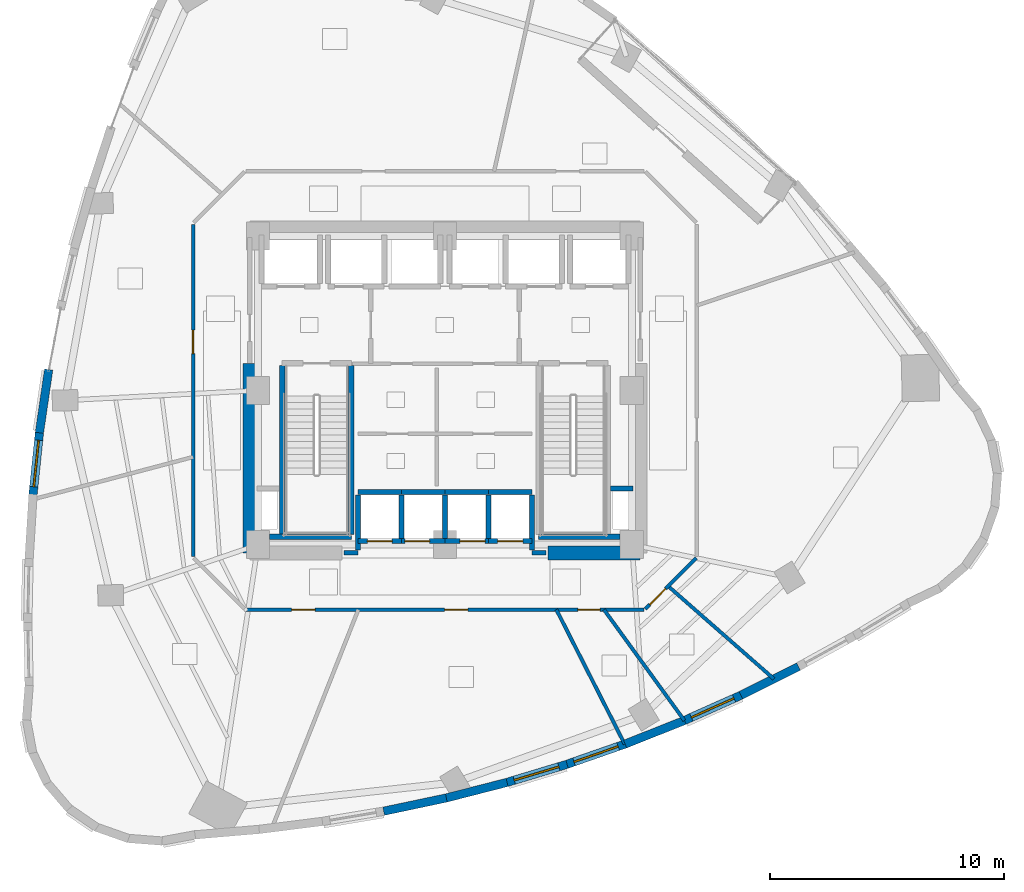
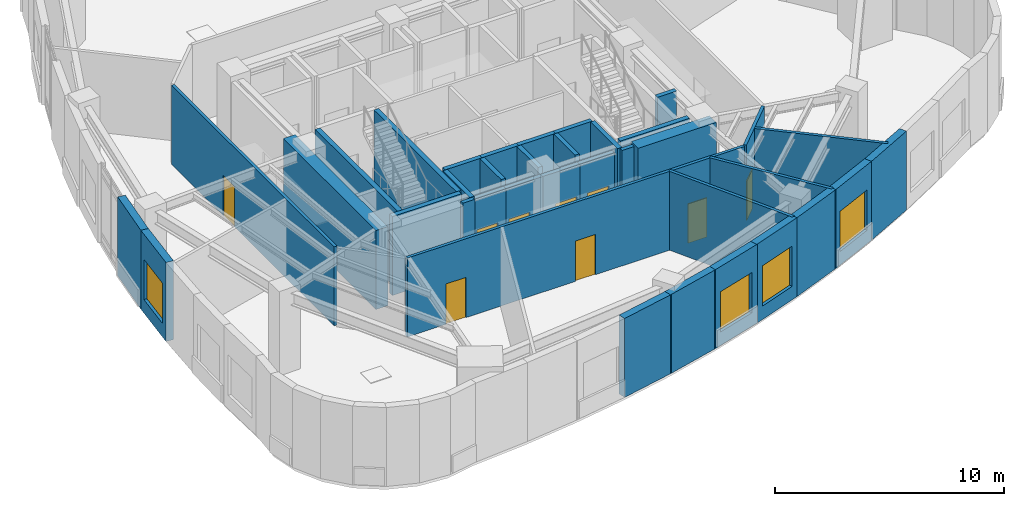
# One storey, part 13 of 19: 37 walls, 9 doors, 4 windows, 13 openings.
"""IFC4 building model written with IfcOpenShell, lengths in metres."""

from ifc_helpers import new_model, si_unit, direction, frame, frame_2d, origin, place, context, subcontext, project, spatial, rectangle, extrude, material, layer, layer_set, type_object, element, fill, save


model = new_model("IFC4")

# Units and contexts
model_context = context("Model", 3, precision=1e-05, world=origin(), true_north=direction((0.0, 1.0)))
body_context = subcontext(model_context, "Body", "Model", "MODEL_VIEW")
ifc_project = project(units=[si_unit("LENGTHUNIT", "METRE"), si_unit("AREAUNIT", "SQUARE_METRE"), si_unit("VOLUMEUNIT", "CUBIC_METRE"), si_unit("PLANEANGLEUNIT", "RADIAN"), si_unit("MASSUNIT", "GRAM", prefix="KILO")], contexts=[model_context])

# Site, building, storey
site_placement = place(None, origin())
site = spatial("IfcSite", under=ifc_project, at=site_placement, CompositionType="ELEMENT")
building_placement = place(site_placement, origin())
building = spatial("IfcBuilding", under=site, at=building_placement, Name="Ndelora Gate Hotel", CompositionType="ELEMENT")
storey_placement = place(building_placement, frame((0.0, 0.0, 88.25)))
storey = spatial("IfcBuildingStorey", under=building, at=storey_placement, Name="L21", CompositionType="ELEMENT", Elevation=88.25)

# Wall
ifc_material_1 = material(Name="Clay Brick Masonry", Category="masonry")
ifc_layer_1 = layer(ifc_material_1, 0.360107421875)
ifc_layer_set_1 = layer_set([ifc_layer_1], Name="Clay Brick Masonry")
wall_type_1 = type_object("IfcWallType", Name="WL-BRICK-360", PredefinedType="SOLIDWALL", material=ifc_layer_set_1)
wall_1_placement = place(storey_placement, frame((-17.357177734375, -1.813720703125, 0.0), z_axis=(0.0, 0.0, 1.0), x_axis=(0.145182948163, 0.989404826935, 0.0)))
element("IfcWall", 1, at=wall_1_placement, inside=storey, type_object=wall_type_1, Name="L21 Tower Brick Pier-and-Spandrel Wall TWR-16", PredefinedType="SOLIDWALL", context=body_context, shape_type="SweptSolid", body=[
    extrude(rectangle(XDim=2.734375, YDim=0.360107421875, at=frame_2d((1.3671875, 0.0))), origin(), (0.0, 0.0, 1.0), 4.2099609375),
])

# Wall, opening, window
wall_2_placement = place(storey_placement, frame((-17.634521484375, -4.493408203125, 0.0), z_axis=(0.0, 0.0, 1.0), x_axis=(0.103299843757, 0.994650261288, 0.0)))
wall_2 = element("IfcWall", 2, at=wall_2_placement, inside=storey, type_object=wall_type_1, Name="L21 Tower Brick Pier-and-Spandrel Wall TWR-17", PredefinedType="SOLIDWALL", context=body_context, shape_type="SweptSolid", body=[
    extrude(rectangle(XDim=2.743896484375, YDim=0.360107421875, at=frame_2d((1.3720703125, 0.0))), origin(), (0.0, 0.0, 1.0), 4.2099609375),
])
opening_1_placement = place(wall_2_placement, frame((0.3720703125, 0.0, 0.719970703125)))
opening_1 = element("IfcOpeningElement", 3, at=opening_1_placement, cuts=wall_2, Name="Opening W05", PredefinedType="OPENING", context=body_context, shape_type="SweptSolid", body=[
    extrude(rectangle(XDim=2.0, YDim=2.14990234375, at=frame_2d((1.0, 1.074951171875))), frame((0.0, 0.18994140625, 0.0), z_axis=(0.0, -1.0, 0.0), x_axis=(1.0, 0.0, 0.0)), (0.0, 0.0, 1.0), 0.380126953125),
])
ifc_material_2 = material(Name="Insulated Low-E Double Glazing in Bronze Aluminium Frame", Category="aluminium")
window_type = type_object("IfcWindowType", Name="WN-SKY-2000", PartitioningType="SINGLE_PANEL", PredefinedType="WINDOW", material=ifc_material_2)
window_1_placement = place(opening_1_placement, origin())
window_1 = element("IfcWindow", 4, at=window_1_placement, inside=storey, type_object=window_type, Name="L21 Deep-Set Brick-Pier Window W05", OverallHeight=2.14990234375, OverallWidth=2.0, PartitioningType="SINGLE_PANEL", PredefinedType="WINDOW", context=body_context, shape_type="SweptSolid", body=[
    extrude(rectangle(XDim=2.0, YDim=2.14990234375, at=frame_2d((1.0, 1.074951171875))), frame((0.0, 0.030029296875, 0.0), z_axis=(0.0, -1.0, 0.0), x_axis=(1.0, 0.0, 0.0)), (0.0, 0.0, 1.0), 0.06005859375),
])
fill(opening_1, window_1)

# Walls
wall_3_placement = place(storey_placement, frame((0.05908203125, -17.440185546875, 0.0), z_axis=(0.0, 0.0, 1.0), x_axis=(-0.978369100094, -0.20686687502, 0.0)))
element("IfcWall", 5, at=wall_3_placement, inside=storey, type_object=wall_type_1, Name="L21 Tower Brick Pier-and-Spandrel Wall TWR-32", PredefinedType="SOLIDWALL", context=body_context, shape_type="SweptSolid", body=[
    extrude(rectangle(XDim=2.743896484375, YDim=0.360107421875, at=frame_2d((1.3720703125, 0.0))), origin(), (0.0, 0.0, 1.0), 4.2099609375),
])
wall_4_placement = place(storey_placement, frame((2.65966796875, -16.77392578125, 0.0), z_axis=(0.0, 0.0, 1.0), x_axis=(-0.968799214678, -0.247846891526, 0.0)))
element("IfcWall", 6, at=wall_4_placement, inside=storey, type_object=wall_type_1, Name="L21 Tower Brick Pier-and-Spandrel Wall TWR-33", PredefinedType="SOLIDWALL", context=body_context, shape_type="SweptSolid", body=[
    extrude(rectangle(XDim=2.734375, YDim=0.360107421875, at=frame_2d((1.3671875, 0.0))), origin(), (0.0, 0.0, 1.0), 4.2099609375),
])

# Wall, opening, window
wall_5_placement = place(storey_placement, frame((5.224609375, -15.999267578125, 0.0), z_axis=(0.0, 0.0, 1.0), x_axis=(-0.957404258556, -0.288750905972, 0.0)))
wall_5 = element("IfcWall", 7, at=wall_5_placement, inside=storey, type_object=wall_type_1, Name="L21 Tower Brick Pier-and-Spandrel Wall TWR-34", PredefinedType="SOLIDWALL", context=body_context, shape_type="SweptSolid", body=[
    extrude(rectangle(XDim=2.729248046875, YDim=0.360107421875, at=frame_2d((1.36474609375, 0.0))), origin(), (0.0, 0.0, 1.0), 4.2099609375),
])
opening_2_placement = place(wall_5_placement, frame((0.36474609375, 0.0, 0.719970703125)))
opening_2 = element("IfcOpeningElement", 8, at=opening_2_placement, cuts=wall_5, Name="Opening W05", PredefinedType="OPENING", context=body_context, shape_type="SweptSolid", body=[
    extrude(rectangle(XDim=2.0, YDim=2.14990234375, at=frame_2d((1.0, 1.074951171875))), frame((0.0, 0.18994140625, 0.0), z_axis=(0.0, -1.0, 0.0), x_axis=(1.0, 0.0, 0.0)), (0.0, 0.0, 1.0), 0.380126953125),
])
window_2_placement = place(opening_2_placement, origin())
window_2 = element("IfcWindow", 9, at=window_2_placement, inside=storey, type_object=window_type, Name="L21 Deep-Set Brick-Pier Window W05", OverallHeight=2.14990234375, OverallWidth=2.0, PartitioningType="SINGLE_PANEL", PredefinedType="WINDOW", context=body_context, shape_type="SweptSolid", body=[
    extrude(rectangle(XDim=2.0, YDim=2.14990234375, at=frame_2d((1.0, 1.074951171875))), frame((0.0, 0.030029296875, 0.0), z_axis=(0.0, -1.0, 0.0), x_axis=(1.0, 0.0, 0.0)), (0.0, 0.0, 1.0), 0.06005859375),
])
fill(opening_2, window_2)

wall_6_placement = place(storey_placement, frame((7.754638671875, -15.1162109375, 0.0), z_axis=(0.0, 0.0, 1.0), x_axis=(-0.944274551396, -0.329158885018, 0.0)))
wall_6 = element("IfcWall", 10, at=wall_6_placement, inside=storey, type_object=wall_type_1, Name="L21 Tower Brick Pier-and-Spandrel Wall TWR-35", PredefinedType="SOLIDWALL", context=body_context, shape_type="SweptSolid", body=[
    extrude(rectangle(XDim=2.7294921875, YDim=0.360107421875, at=frame_2d((1.36474609375, 0.0))), origin(), (0.0, 0.0, 1.0), 4.2099609375),
])
opening_3_placement = place(wall_6_placement, frame((0.36474609375, 0.0, 0.719970703125)))
opening_3 = element("IfcOpeningElement", 11, at=opening_3_placement, cuts=wall_6, Name="Opening W05", PredefinedType="OPENING", context=body_context, shape_type="SweptSolid", body=[
    extrude(rectangle(XDim=2.0, YDim=2.14990234375, at=frame_2d((1.0, 1.074951171875))), frame((0.0, 0.18994140625, 0.0), z_axis=(0.0, -1.0, 0.0), x_axis=(1.0, 0.0, 0.0)), (0.0, 0.0, 1.0), 0.380126953125),
])
window_3_placement = place(opening_3_placement, origin())
window_3 = element("IfcWindow", 12, at=window_3_placement, inside=storey, type_object=window_type, Name="L21 Deep-Set Brick-Pier Window W05", OverallHeight=2.14990234375, OverallWidth=2.0, PartitioningType="SINGLE_PANEL", PredefinedType="WINDOW", context=body_context, shape_type="SweptSolid", body=[
    extrude(rectangle(XDim=2.0, YDim=2.14990234375, at=frame_2d((1.0, 1.074951171875))), frame((0.0, 0.030029296875, 0.0), z_axis=(0.0, -1.0, 0.0), x_axis=(1.0, 0.0, 0.0)), (0.0, 0.0, 1.0), 0.06005859375),
])
fill(opening_3, window_3)

# Wall
wall_7_placement = place(storey_placement, frame((10.249267578125, -14.125, 0.0), z_axis=(0.0, 0.0, 1.0), x_axis=(-0.929489253477, -0.368849193671, 0.0)))
element("IfcWall", 13, at=wall_7_placement, inside=storey, type_object=wall_type_1, Name="L21 Tower Brick Pier-and-Spandrel Wall TWR-36", PredefinedType="SOLIDWALL", context=body_context, shape_type="SweptSolid", body=[
    extrude(rectangle(XDim=2.734375, YDim=0.360107421875, at=frame_2d((1.3671875, 0.0))), origin(), (0.0, 0.0, 1.0), 4.2099609375),
])

# Wall, opening, window
wall_8_placement = place(storey_placement, frame((12.708740234375, -13.025390625, 0.0), z_axis=(0.0, 0.0, 1.0), x_axis=(-0.913079911719, -0.407780669987, 0.0)))
wall_8 = element("IfcWall", 14, at=wall_8_placement, inside=storey, type_object=wall_type_1, Name="L21 Tower Brick Pier-and-Spandrel Wall TWR-37", PredefinedType="SOLIDWALL", context=body_context, shape_type="SweptSolid", body=[
    extrude(rectangle(XDim=2.743896484375, YDim=0.360107421875, at=frame_2d((1.3720703125, 0.0))), origin(), (0.0, 0.0, 1.0), 4.2099609375),
])
opening_4_placement = place(wall_8_placement, frame((0.3720703125, 0.0, 0.719970703125)))
opening_4 = element("IfcOpeningElement", 15, at=opening_4_placement, cuts=wall_8, Name="Opening W05", PredefinedType="OPENING", context=body_context, shape_type="SweptSolid", body=[
    extrude(rectangle(XDim=2.0, YDim=2.14990234375, at=frame_2d((1.0, 1.074951171875))), frame((0.0, 0.18994140625, 0.0), z_axis=(0.0, -1.0, 0.0), x_axis=(1.0, 0.0, 0.0)), (0.0, 0.0, 1.0), 0.380126953125),
])
window_4_placement = place(opening_4_placement, origin())
window_4 = element("IfcWindow", 16, at=window_4_placement, inside=storey, type_object=window_type, Name="L21 Deep-Set Brick-Pier Window W05", OverallHeight=2.14990234375, OverallWidth=2.0, PartitioningType="SINGLE_PANEL", PredefinedType="WINDOW", context=body_context, shape_type="SweptSolid", body=[
    extrude(rectangle(XDim=2.0, YDim=2.14990234375, at=frame_2d((1.0, 1.074951171875))), frame((0.0, 0.030029296875, 0.0), z_axis=(0.0, -1.0, 0.0), x_axis=(1.0, 0.0, 0.0)), (0.0, 0.0, 1.0), 0.06005859375),
])
fill(opening_4, window_4)

# Walls
wall_9_placement = place(storey_placement, frame((15.133056640625, -11.8173828125, 0.0), z_axis=(0.0, 0.0, 1.0), x_axis=(-0.89522231214, -0.445619806389, 0.0)))
element("IfcWall", 17, at=wall_9_placement, inside=storey, type_object=wall_type_1, Name="L21 Tower Brick Pier-and-Spandrel Wall TWR-38", PredefinedType="SOLIDWALL", context=body_context, shape_type="SweptSolid", body=[
    extrude(rectangle(XDim=2.758544921875, YDim=0.360107421875, at=frame_2d((1.37939453125, 0.0))), origin(), (0.0, 0.0, 1.0), 4.2099609375),
])
ifc_material_3 = material(Name="Concrete C60/75", Category="concrete")
ifc_layer_2 = layer(ifc_material_3, 0.60009765625)
ifc_layer_set_2 = layer_set([ifc_layer_2], Name="Concrete C60/75")
wall_type_2 = type_object("IfcWallType", Name="WL-CORE-600", PredefinedType="SHEAR", material=ifc_layer_set_2)
wall_10_placement = place(storey_placement, frame((4.39990234375, -6.949951171875, 0.0), z_axis=(0.0, 0.0, 1.0), x_axis=(1.0, 0.0, 0.0)))
element("IfcWall", 18, at=wall_10_placement, inside=storey, type_object=wall_type_2, Name="L21 Core Shear Wall S-E", PredefinedType="SHEAR", context=body_context, shape_type="SweptSolid", body=[
    extrude(rectangle(XDim=3.9501953125, YDim=0.60009765625, at=frame_2d((1.97509765625, 0.0))), origin(), (0.0, 0.0, 1.0), 4.2099609375),
])
wall_11_placement = place(storey_placement, frame((-8.35009765625, -6.949951171875, 0.0), z_axis=(0.0, 0.0, 1.0), x_axis=(0.0, 1.0, 0.0)))
element("IfcWall", 19, at=wall_11_placement, inside=storey, type_object=wall_type_2, Name="L21 Core Shear Wall W", PredefinedType="SHEAR", context=body_context, shape_type="SweptSolid", body=[
    extrude(rectangle(XDim=8.099853515625, YDim=0.60009765625, at=frame_2d((4.0498046875, 0.0))), origin(), (0.0, 0.0, 1.0), 4.2099609375),
])
ifc_material_4 = material(Name="Concrete C40/50", Category="concrete")
ifc_layer_3 = layer(ifc_material_4, 0.199951171875)
ifc_layer_set_3 = layer_set([ifc_layer_3], Name="Concrete C40/50")
wall_type_3 = type_object("IfcWallType", Name="WL-FIRE-200", PredefinedType="PARTITIONING", material=ifc_layer_set_3)
for number, where, z_axis, x_axis, name in (
    (20, (-4.320068359375, -6.949951171875, 0.0), (0.0, 0.0, 1.0), (1.0, 0.0, 0.0), "L21 Interior Wall IW-2"),
    (21, (3.719970703125, -6.949951171875, 0.0), (0.0, 0.0, 1.0), (1.0, 0.0, 0.0), "L21 Interior Wall IW-2"),
):
    element("IfcWall", number, at=place(storey_placement, frame(where, z_axis=z_axis, x_axis=x_axis)), inside=storey, type_object=wall_type_3, Name=name, PredefinedType="PARTITIONING", context=body_context, shape_type="SweptSolid", body=[
        extrude(rectangle(XDim=0.60009765625, YDim=0.199951171875, at=frame_2d((0.300048828125, 0.0))), origin(), (0.0, 0.0, 1.0), 4.2099609375),
    ])

# Wall, openings, doors
ifc_material_5 = material(Name="Fire-Rated Gypsum Stud Partition", Category="gypsum")
ifc_layer_4 = layer(ifc_material_5, 0.14990234375)
ifc_layer_set_4 = layer_set([ifc_layer_4], Name="Fire-Rated Gypsum Stud Partition")
wall_type_4 = type_object("IfcWallType", Name="WL-PART-150", PredefinedType="PARTITIONING", material=ifc_layer_set_4)
wall_12_placement = place(storey_placement, frame((8.510009765625, -9.3798828125, 0.0), z_axis=(0.0, 0.0, 1.0), x_axis=(-1.0, 0.0, 0.0)))
wall_12 = element("IfcWall", 22, at=wall_12_placement, inside=storey, type_object=wall_type_4, Name="L21 Interior Wall IW-5", PredefinedType="PARTITIONING", context=body_context, shape_type="SweptSolid", body=[
    extrude(rectangle(XDim=17.02001953125, YDim=0.14990234375, at=frame_2d((8.510009765625, 0.0))), origin(), (0.0, 0.0, 1.0), 4.2099609375),
])
opening_5_placement = place(wall_12_placement, frame((1.87451171875, 0.0, 0.0)))
opening_5 = element("IfcOpeningElement", 23, at=opening_5_placement, cuts=wall_12, Name="Opening D05", PredefinedType="OPENING", context=body_context, shape_type="SweptSolid", body=[
    extrude(rectangle(XDim=0.949951171875, YDim=2.10009765625, at=frame_2d((0.47509765625, 1.050048828125))), frame((0.0, 0.0849609375, 0.0), z_axis=(0.0, -1.0, 0.0), x_axis=(1.0, 0.0, 0.0)), (0.0, 0.0, 1.0), 0.169921875),
])
opening_6_placement = place(wall_12_placement, frame((7.527587890625, 0.0, 0.0)))
opening_6 = element("IfcOpeningElement", 24, at=opening_6_placement, cuts=wall_12, Name="Opening D01", PredefinedType="OPENING", context=body_context, shape_type="SweptSolid", body=[
    extrude(rectangle(XDim=1.0, YDim=2.14990234375, at=frame_2d((0.5, 1.074951171875))), frame((0.0, 0.0849609375, 0.0), z_axis=(0.0, -1.0, 0.0), x_axis=(1.0, 0.0, 0.0)), (0.0, 0.0, 1.0), 0.169921875),
])
opening_7_placement = place(wall_12_placement, frame((14.069580078125, 0.0, 0.0)))
opening_7 = element("IfcOpeningElement", 25, at=opening_7_placement, cuts=wall_12, Name="Opening D01", PredefinedType="OPENING", context=body_context, shape_type="SweptSolid", body=[
    extrude(rectangle(XDim=1.0, YDim=2.14990234375, at=frame_2d((0.5, 1.074951171875))), frame((0.0, 0.0849609375, 0.0), z_axis=(0.0, -1.0, 0.0), x_axis=(1.0, 0.0, 0.0)), (0.0, 0.0, 1.0), 0.169921875),
])
ifc_material_6 = material(Name="Accessible Restroom Wide-Clearance Door", Category="wood")
door_type_1 = type_object("IfcDoorType", Name="DR-ACC-950", OperationType="SINGLE_SWING_LEFT", PredefinedType="DOOR", material=ifc_material_6)
door_1_placement = place(opening_5_placement, origin())
door_1 = element("IfcDoor", 26, at=door_1_placement, inside=storey, type_object=door_type_1, Name="L21 Male Public Restroom Entrance Door", OperationType="SINGLE_SWING_RIGHT", OverallHeight=2.10009765625, OverallWidth=0.949951171875, PredefinedType="DOOR", context=body_context, shape_type="SweptSolid", body=[
    extrude(rectangle(XDim=0.949951171875, YDim=2.10009765625, at=frame_2d((0.47509765625, 1.050048828125))), frame((0.0, 0.02490234375, 0.0), z_axis=(0.0, -1.0, 0.0), x_axis=(1.0, 0.0, 0.0)), (0.0, 0.0, 1.0), 0.050048828125),
])
fill(opening_5, door_1)
ifc_material_7 = material(Name="Acoustic Hardwood Guest Entrance Door", Category="wood")
door_type_2 = type_object("IfcDoorType", Name="DR-COR-1000", OperationType="SINGLE_SWING_LEFT", PredefinedType="DOOR", material=ifc_material_7)
door_2_placement = place(opening_6_placement, origin())
door_2 = element("IfcDoor", 27, at=door_2_placement, inside=storey, type_object=door_type_2, Name="L21 Boutique Travel Shop Entrance Door", OperationType="SINGLE_SWING_RIGHT", OverallHeight=2.14990234375, OverallWidth=1.0, PredefinedType="DOOR", context=body_context, shape_type="SweptSolid", body=[
    extrude(rectangle(XDim=1.0, YDim=2.14990234375, at=frame_2d((0.5, 1.074951171875))), frame((0.0, 0.02490234375, 0.0), z_axis=(0.0, -1.0, 0.0), x_axis=(1.0, 0.0, 0.0)), (0.0, 0.0, 1.0), 0.050048828125),
])
fill(opening_6, door_2)
door_3_placement = place(opening_7_placement, origin())
door_3 = element("IfcDoor", 28, at=door_3_placement, inside=storey, type_object=door_type_2, Name="L21 Panoramic Reading Library Entrance Door", OperationType="SINGLE_SWING_LEFT", OverallHeight=2.14990234375, OverallWidth=1.0, PredefinedType="DOOR", context=body_context, shape_type="SweptSolid", body=[
    extrude(rectangle(XDim=1.0, YDim=2.14990234375, at=frame_2d((0.5, 1.074951171875))), frame((0.0, 0.02490234375, 0.0), z_axis=(0.0, -1.0, 0.0), x_axis=(1.0, 0.0, 0.0)), (0.0, 0.0, 1.0), 0.050048828125),
])
fill(opening_7, door_3)

# Wall, opening, door
wall_13_placement = place(storey_placement, frame((10.751708984375, -7.17822265625, 0.0), z_axis=(0.0, 0.0, 1.0), x_axis=(-0.707067066127, -0.707146494016, 0.0)))
wall_13 = element("IfcWall", 29, at=wall_13_placement, inside=storey, type_object=wall_type_4, Name="L21 Interior Wall IW-5", PredefinedType="PARTITIONING", context=body_context, shape_type="SweptSolid", body=[
    extrude(rectangle(XDim=3.07373046875, YDim=0.14990234375, at=frame_2d((1.536865234375, 0.0))), origin(), (0.0, 0.0, 1.0), 4.2099609375),
])
opening_8_placement = place(wall_13_placement, frame((1.859619140625, 0.0, 0.0)))
opening_8 = element("IfcOpeningElement", 30, at=opening_8_placement, cuts=wall_13, Name="Opening D05", PredefinedType="OPENING", context=body_context, shape_type="SweptSolid", body=[
    extrude(rectangle(XDim=0.949951171875, YDim=2.10009765625, at=frame_2d((0.47509765625, 1.050048828125))), frame((0.0, 0.0849609375, 0.0), z_axis=(0.0, -1.0, 0.0), x_axis=(1.0, 0.0, 0.0)), (0.0, 0.0, 1.0), 0.169921875),
])
door_4_placement = place(opening_8_placement, origin())
door_4 = element("IfcDoor", 31, at=door_4_placement, inside=storey, type_object=door_type_1, Name="L21 Accessible WC Entrance Door", OperationType="SINGLE_SWING_LEFT", OverallHeight=2.10009765625, OverallWidth=0.949951171875, PredefinedType="DOOR", context=body_context, shape_type="SweptSolid", body=[
    extrude(rectangle(XDim=0.949951171875, YDim=2.10009765625, at=frame_2d((0.47509765625, 1.050048828125))), frame((0.0, 0.02490234375, 0.0), z_axis=(0.0, -1.0, 0.0), x_axis=(1.0, 0.0, 0.0)), (0.0, 0.0, 1.0), 0.050048828125),
])
fill(opening_8, door_4)

wall_14_placement = place(storey_placement, frame((-10.780029296875, -7.110107421875, 0.0), z_axis=(0.0, 0.0, 1.0), x_axis=(0.0, 1.0, 0.0)))
wall_14 = element("IfcWall", 32, at=wall_14_placement, inside=storey, type_object=wall_type_4, Name="L21 Interior Wall IW-5", PredefinedType="PARTITIONING", context=body_context, shape_type="SweptSolid", body=[
    extrude(rectangle(XDim=14.22021484375, YDim=0.14990234375, at=frame_2d((7.110107421875, 0.0))), origin(), (0.0, 0.0, 1.0), 4.2099609375),
])
opening_9_placement = place(wall_14_placement, frame((8.687255859375, 0.0, 0.0)))
opening_9 = element("IfcOpeningElement", 33, at=opening_9_placement, cuts=wall_14, Name="Opening D01", PredefinedType="OPENING", context=body_context, shape_type="SweptSolid", body=[
    extrude(rectangle(XDim=1.0, YDim=2.14990234375, at=frame_2d((0.5, 1.074951171875))), frame((0.0, 0.0849609375, 0.0), z_axis=(0.0, -1.0, 0.0), x_axis=(1.0, 0.0, 0.0)), (0.0, 0.0, 1.0), 0.169921875),
])
door_5_placement = place(opening_9_placement, origin())
door_5 = element("IfcDoor", 34, at=door_5_placement, inside=storey, type_object=door_type_2, Name="L21 Executive Transfer Office Entrance Door", OperationType="SINGLE_SWING_LEFT", OverallHeight=2.14990234375, OverallWidth=1.0, PredefinedType="DOOR", context=body_context, shape_type="SweptSolid", body=[
    extrude(rectangle(XDim=1.0, YDim=2.14990234375, at=frame_2d((0.5, 1.074951171875))), frame((0.0, 0.02490234375, 0.0), z_axis=(0.0, -1.0, 0.0), x_axis=(1.0, 0.0, 0.0)), (0.0, 0.0, 1.0), 0.050048828125),
])
fill(opening_9, door_5)

# Walls
wall_15_placement = place(storey_placement, frame((9.552490234375, -8.37744140625, 0.0), z_axis=(0.0, 0.0, 1.0), x_axis=(0.751819466932, -0.659369008327, 0.0)))
element("IfcWall", 35, at=wall_15_placement, inside=storey, type_object=wall_type_4, Name="L21 Interior Wall IW-5", PredefinedType="PARTITIONING", context=body_context, shape_type="SweptSolid", body=[
    extrude(rectangle(XDim=6.015625, YDim=0.14990234375, at=frame_2d((3.0078125, 0.0))), origin(), (0.0, 0.0, 1.0), 4.2099609375),
])
wall_16_placement = place(storey_placement, frame((4.76611328125, -9.3798828125, 0.0), z_axis=(0.0, 0.0, 1.0), x_axis=(0.452995181791, -0.891512964165, 0.0)))
element("IfcWall", 36, at=wall_16_placement, inside=storey, type_object=wall_type_4, Name="L21 Interior Wall IW-5", PredefinedType="PARTITIONING", context=body_context, shape_type="SweptSolid", body=[
    extrude(rectangle(XDim=6.458740234375, YDim=0.14990234375, at=frame_2d((3.2294921875, 0.0))), origin(), (0.0, 0.0, 1.0), 4.2099609375),
])
wall_17_placement = place(storey_placement, frame((6.802490234375, -9.3798828125, 0.0), z_axis=(0.0, 0.0, 1.0), x_axis=(0.587049456682, -0.809551070291, 0.0)))
element("IfcWall", 37, at=wall_17_placement, inside=storey, type_object=wall_type_4, Name="L21 Interior Wall IW-5", PredefinedType="PARTITIONING", context=body_context, shape_type="SweptSolid", body=[
    extrude(rectangle(XDim=5.862548828125, YDim=0.14990234375, at=frame_2d((2.93115234375, 0.0))), origin(), (0.0, 0.0, 1.0), 4.2099609375),
])
ifc_layer_5 = layer(ifc_material_4, 0.219970703125)
ifc_layer_set_5 = layer_set([ifc_layer_5], Name="Concrete C40/50")
wall_type_5 = type_object("IfcWallType", Name="WL-SHAFT-220", PredefinedType="PARTITIONING", material=ifc_layer_set_5)
wall_18_placement = place(storey_placement, frame((7.090087890625, -4.199951171875, 0.0), z_axis=(0.0, 0.0, 1.0), x_axis=(1.0, 0.0, 0.0)))
element("IfcWall", 38, at=wall_18_placement, inside=storey, type_object=wall_type_5, Name="L21 Interior Wall IW-1", PredefinedType="PARTITIONING", context=body_context, shape_type="SweptSolid", body=[
    extrude(rectangle(XDim=0.9599609375, YDim=0.219970703125, at=frame_2d((0.47998046875, 0.0))), origin(), (0.0, 0.0, 1.0), 4.2099609375),
])

# Wall, opening, door
wall_19_placement = place(storey_placement, frame((-3.719970703125, -6.449951171875, 0.0), z_axis=(0.0, 0.0, 1.0), x_axis=(1.0, 0.0, 0.0)))
wall_19 = element("IfcWall", 39, at=wall_19_placement, inside=storey, type_object=wall_type_5, Name="L21 Interior Wall IW-1", PredefinedType="PARTITIONING", context=body_context, shape_type="SweptSolid", body=[
    extrude(rectangle(XDim=1.85986328125, YDim=0.219970703125, at=frame_2d((0.929931640625, 0.0))), origin(), (0.0, 0.0, 1.0), 3.830078125),
])
opening_10_placement = place(wall_19_placement, frame((0.39990234375, 0.0, 0.0)))
opening_10 = element("IfcOpeningElement", 40, at=opening_10_placement, cuts=wall_19, Name="Opening LD1", PredefinedType="OPENING", context=body_context, shape_type="SweptSolid", body=[
    extrude(rectangle(XDim=1.06005859375, YDim=2.14990234375, at=frame_2d((0.530029296875, 1.074951171875))), frame((0.0, 0.1201171875, 0.0), z_axis=(0.0, -1.0, 0.0), x_axis=(1.0, 0.0, 0.0)), (0.0, 0.0, 1.0), 0.239990234375),
])
ifc_material_8 = material(Name="Brushed Bronze Stainless Lift Landing Door", Category="metal")
door_type_3 = type_object("IfcDoorType", Name="DR-LD1", OperationType="DOUBLE_DOOR_SLIDING", PredefinedType="DOOR", material=ifc_material_8)
door_6_placement = place(opening_10_placement, origin())
door_6 = element("IfcDoor", 41, at=door_6_placement, inside=storey, type_object=door_type_3, Name="L21 Lift Landing Sliding Door P1A", OperationType="DOUBLE_DOOR_SLIDING", OverallHeight=2.14990234375, OverallWidth=1.06005859375, PredefinedType="DOOR", context=body_context, shape_type="SweptSolid", body=[
    extrude(rectangle(XDim=1.06005859375, YDim=2.14990234375, at=frame_2d((0.530029296875, 1.074951171875))), frame((0.0, 0.02490234375, 0.0), z_axis=(0.0, -1.0, 0.0), x_axis=(1.0, 0.0, 0.0)), (0.0, 0.0, 1.0), 0.050048828125),
])
fill(opening_10, door_6)

# Walls
wall_20_placement = place(storey_placement, frame((-3.719970703125, -4.35009765625, 0.0), z_axis=(0.0, 0.0, 1.0), x_axis=(1.0, 0.0, 0.0)))
element("IfcWall", 42, at=wall_20_placement, inside=storey, type_object=wall_type_5, Name="L21 Interior Wall IW-1", PredefinedType="PARTITIONING", context=body_context, shape_type="SweptSolid", body=[
    extrude(rectangle(XDim=1.85986328125, YDim=0.219970703125, at=frame_2d((0.929931640625, 0.0))), origin(), (0.0, 0.0, 1.0), 4.2099609375),
])
wall_21_placement = place(storey_placement, frame((-3.719970703125, -6.830078125, 0.0), z_axis=(0.0, 0.0, 1.0), x_axis=(0.0, 1.0, 0.0)))
element("IfcWall", 43, at=wall_21_placement, inside=storey, type_object=wall_type_5, Name="L21 Interior Wall IW-1", PredefinedType="PARTITIONING", context=body_context, shape_type="SweptSolid", body=[
    extrude(rectangle(XDim=2.360107421875, YDim=0.219970703125, at=frame_2d((1.18017578125, 0.0))), origin(), (0.0, 0.0, 1.0), 4.2099609375),
])
wall_22_placement = place(storey_placement, frame((-1.860107421875, -6.330078125, 0.0), z_axis=(0.0, 0.0, 1.0), x_axis=(0.0, 1.0, 0.0)))
element("IfcWall", 44, at=wall_22_placement, inside=storey, type_object=wall_type_5, Name="L21 Interior Wall IW-1", PredefinedType="PARTITIONING", context=body_context, shape_type="SweptSolid", body=[
    extrude(rectangle(XDim=1.860107421875, YDim=0.219970703125, at=frame_2d((0.93017578125, 0.0))), origin(), (0.0, 0.0, 1.0), 4.2099609375),
])

# Wall, opening, door
wall_23_placement = place(storey_placement, frame((-1.860107421875, -6.449951171875, 0.0), z_axis=(0.0, 0.0, 1.0), x_axis=(1.0, 0.0, 0.0)))
wall_23 = element("IfcWall", 45, at=wall_23_placement, inside=storey, type_object=wall_type_5, Name="L21 Interior Wall IW-1", PredefinedType="PARTITIONING", context=body_context, shape_type="SweptSolid", body=[
    extrude(rectangle(XDim=1.860107421875, YDim=0.219970703125, at=frame_2d((0.93017578125, 0.0))), origin(), (0.0, 0.0, 1.0), 3.830078125),
])
opening_11_placement = place(wall_23_placement, frame((0.139892578125, 0.0, 0.0)))
opening_11 = element("IfcOpeningElement", 46, at=opening_11_placement, cuts=wall_23, Name="Opening LD1", PredefinedType="OPENING", context=body_context, shape_type="SweptSolid", body=[
    extrude(rectangle(XDim=1.06005859375, YDim=2.14990234375, at=frame_2d((0.530029296875, 1.074951171875))), frame((0.0, 0.1201171875, 0.0), z_axis=(0.0, -1.0, 0.0), x_axis=(1.0, 0.0, 0.0)), (0.0, 0.0, 1.0), 0.239990234375),
])
door_7_placement = place(opening_11_placement, origin())
door_7 = element("IfcDoor", 47, at=door_7_placement, inside=storey, type_object=door_type_3, Name="L21 Lift Landing Sliding Door P1B", OperationType="DOUBLE_DOOR_SLIDING", OverallHeight=2.14990234375, OverallWidth=1.06005859375, PredefinedType="DOOR", context=body_context, shape_type="SweptSolid", body=[
    extrude(rectangle(XDim=1.06005859375, YDim=2.14990234375, at=frame_2d((0.530029296875, 1.074951171875))), frame((0.0, 0.02490234375, 0.0), z_axis=(0.0, -1.0, 0.0), x_axis=(1.0, 0.0, 0.0)), (0.0, 0.0, 1.0), 0.050048828125),
])
fill(opening_11, door_7)

# Walls
for number, where, z_axis, x_axis, name in (
    (48, (-1.860107421875, -4.35009765625, 0.0), (0.0, 0.0, 1.0), (1.0, 0.0, 0.0), "L21 Interior Wall IW-1"),
    (49, (0.0, -6.330078125, 0.0), (0.0, 0.0, 1.0), (0.0, 1.0, 0.0), "L21 Interior Wall IW-1"),
):
    element("IfcWall", number, at=place(storey_placement, frame(where, z_axis=z_axis, x_axis=x_axis)), inside=storey, type_object=wall_type_5, Name=name, PredefinedType="PARTITIONING", context=body_context, shape_type="SweptSolid", body=[
        extrude(rectangle(XDim=1.860107421875, YDim=0.219970703125, at=frame_2d((0.93017578125, 0.0))), origin(), (0.0, 0.0, 1.0), 4.2099609375),
    ])

# Wall, opening, door
wall_24_placement = place(storey_placement, frame((0.0, -6.449951171875, 0.0), z_axis=(0.0, 0.0, 1.0), x_axis=(1.0, 0.0, 0.0)))
wall_24 = element("IfcWall", 50, at=wall_24_placement, inside=storey, type_object=wall_type_5, Name="L21 Interior Wall IW-1", PredefinedType="PARTITIONING", context=body_context, shape_type="SweptSolid", body=[
    extrude(rectangle(XDim=1.860107421875, YDim=0.219970703125, at=frame_2d((0.93017578125, 0.0))), origin(), (0.0, 0.0, 1.0), 3.830078125),
])
opening_12_placement = place(wall_24_placement, frame((0.639892578125, 0.0, 0.0)))
opening_12 = element("IfcOpeningElement", 51, at=opening_12_placement, cuts=wall_24, Name="Opening LD2", PredefinedType="OPENING", context=body_context, shape_type="SweptSolid", body=[
    extrude(rectangle(XDim=1.080078125, YDim=2.14990234375, at=frame_2d((0.5400390625, 1.074951171875))), frame((0.0, 0.1201171875, 0.0), z_axis=(0.0, -1.0, 0.0), x_axis=(1.0, 0.0, 0.0)), (0.0, 0.0, 1.0), 0.239990234375),
])
door_type_4 = type_object("IfcDoorType", Name="DR-LD2", OperationType="DOUBLE_DOOR_SLIDING", PredefinedType="DOOR", material=ifc_material_8)
door_8_placement = place(opening_12_placement, origin())
door_8 = element("IfcDoor", 52, at=door_8_placement, inside=storey, type_object=door_type_4, Name="L21 Lift Landing Sliding Door P2A", OperationType="DOUBLE_DOOR_SLIDING", OverallHeight=2.14990234375, OverallWidth=1.080078125, PredefinedType="DOOR", context=body_context, shape_type="SweptSolid", body=[
    extrude(rectangle(XDim=1.080078125, YDim=2.14990234375, at=frame_2d((0.5400390625, 1.074951171875))), frame((0.0, 0.02490234375, 0.0), z_axis=(0.0, -1.0, 0.0), x_axis=(1.0, 0.0, 0.0)), (0.0, 0.0, 1.0), 0.050048828125),
])
fill(opening_12, door_8)

# Walls
for number, where, z_axis, x_axis, name in (
    (53, (0.0, -4.35009765625, 0.0), (0.0, 0.0, 1.0), (1.0, 0.0, 0.0), "L21 Interior Wall IW-1"),
    (54, (1.860107421875, -6.330078125, 0.0), (0.0, 0.0, 1.0), (0.0, 1.0, 0.0), "L21 Interior Wall IW-1"),
):
    element("IfcWall", number, at=place(storey_placement, frame(where, z_axis=z_axis, x_axis=x_axis)), inside=storey, type_object=wall_type_5, Name=name, PredefinedType="PARTITIONING", context=body_context, shape_type="SweptSolid", body=[
        extrude(rectangle(XDim=1.860107421875, YDim=0.219970703125, at=frame_2d((0.93017578125, 0.0))), origin(), (0.0, 0.0, 1.0), 4.2099609375),
    ])

# Wall, opening, door
wall_25_placement = place(storey_placement, frame((1.860107421875, -6.449951171875, 0.0), z_axis=(0.0, 0.0, 1.0), x_axis=(1.0, 0.0, 0.0)))
wall_25 = element("IfcWall", 55, at=wall_25_placement, inside=storey, type_object=wall_type_5, Name="L21 Interior Wall IW-1", PredefinedType="PARTITIONING", context=body_context, shape_type="SweptSolid", body=[
    extrude(rectangle(XDim=1.85986328125, YDim=0.219970703125, at=frame_2d((0.929931640625, 0.0))), origin(), (0.0, 0.0, 1.0), 3.830078125),
])
opening_13_placement = place(wall_25_placement, frame((0.389892578125, 0.0, 0.0)))
opening_13 = element("IfcOpeningElement", 56, at=opening_13_placement, cuts=wall_25, Name="Opening LD2", PredefinedType="OPENING", context=body_context, shape_type="SweptSolid", body=[
    extrude(rectangle(XDim=1.080078125, YDim=2.14990234375, at=frame_2d((0.5400390625, 1.074951171875))), frame((0.0, 0.1201171875, 0.0), z_axis=(0.0, -1.0, 0.0), x_axis=(1.0, 0.0, 0.0)), (0.0, 0.0, 1.0), 0.239990234375),
])
door_9_placement = place(opening_13_placement, origin())
door_9 = element("IfcDoor", 57, at=door_9_placement, inside=storey, type_object=door_type_4, Name="L21 Lift Landing Sliding Door P2B", OperationType="DOUBLE_DOOR_SLIDING", OverallHeight=2.14990234375, OverallWidth=1.080078125, PredefinedType="DOOR", context=body_context, shape_type="SweptSolid", body=[
    extrude(rectangle(XDim=1.080078125, YDim=2.14990234375, at=frame_2d((0.5400390625, 1.074951171875))), frame((0.0, 0.02490234375, 0.0), z_axis=(0.0, -1.0, 0.0), x_axis=(1.0, 0.0, 0.0)), (0.0, 0.0, 1.0), 0.050048828125),
])
fill(opening_13, door_9)

# Walls
wall_26_placement = place(storey_placement, frame((1.860107421875, -4.35009765625, 0.0), z_axis=(0.0, 0.0, 1.0), x_axis=(1.0, 0.0, 0.0)))
element("IfcWall", 58, at=wall_26_placement, inside=storey, type_object=wall_type_5, Name="L21 Interior Wall IW-1", PredefinedType="PARTITIONING", context=body_context, shape_type="SweptSolid", body=[
    extrude(rectangle(XDim=1.85986328125, YDim=0.219970703125, at=frame_2d((0.929931640625, 0.0))), origin(), (0.0, 0.0, 1.0), 4.2099609375),
])
wall_27_placement = place(storey_placement, frame((3.719970703125, -6.830078125, 0.0), z_axis=(0.0, 0.0, 1.0), x_axis=(0.0, 1.0, 0.0)))
element("IfcWall", 59, at=wall_27_placement, inside=storey, type_object=wall_type_5, Name="L21 Interior Wall IW-1", PredefinedType="PARTITIONING", context=body_context, shape_type="SweptSolid", body=[
    extrude(rectangle(XDim=2.360107421875, YDim=0.219970703125, at=frame_2d((1.18017578125, 0.0))), origin(), (0.0, 0.0, 1.0), 4.2099609375),
])
ifc_material_9 = material(Name="Concrete C50/60", Category="concrete")
ifc_layer_6 = layer(ifc_material_9, 0.239990234375)
ifc_layer_set_6 = layer_set([ifc_layer_6], Name="Concrete C50/60")
wall_type_6 = type_object("IfcWallType", Name="WL-STAIR-240", PredefinedType="SHEAR", material=ifc_layer_set_6)
wall_28_placement = place(storey_placement, frame((-6.969970703125, -6.159912109375, 0.0), z_axis=(0.0, 0.0, 1.0), x_axis=(0.0, 1.0, 0.0)))
element("IfcWall", 60, at=wall_28_placement, inside=storey, type_object=wall_type_6, Name="L21 Stair Core Shear Wall SW-ST", PredefinedType="SHEAR", context=body_context, shape_type="SweptSolid", body=[
    extrude(rectangle(XDim=7.219970703125, YDim=0.239990234375, at=frame_2d((3.60986328125, 0.0))), origin(), (0.0, 0.0, 1.0), 4.2099609375),
])
wall_29_placement = place(storey_placement, frame((-7.5, -6.27001953125, 0.0), z_axis=(0.0, 0.0, 1.0), x_axis=(1.0, 0.0, 0.0)))
element("IfcWall", 61, at=wall_29_placement, inside=storey, type_object=wall_type_6, Name="L21 Stair Core Shear Wall SW-ST", PredefinedType="SHEAR", context=body_context, shape_type="SweptSolid", body=[
    extrude(rectangle(XDim=3.489990234375, YDim=0.239990234375, at=frame_2d((1.7451171875, 0.0))), origin(), (0.0, 0.0, 1.0), 4.2099609375),
])
wall_30_placement = place(storey_placement, frame((-4.010009765625, -6.159912109375, 0.0), z_axis=(0.0, 0.0, 1.0), x_axis=(0.0, 1.0, 0.0)))
element("IfcWall", 62, at=wall_30_placement, inside=storey, type_object=wall_type_6, Name="L21 Stair Core Shear Wall SW-ST", PredefinedType="SHEAR", context=body_context, shape_type="SweptSolid", body=[
    extrude(rectangle(XDim=7.219970703125, YDim=0.239990234375, at=frame_2d((3.60986328125, 0.0))), origin(), (0.0, 0.0, 1.0), 4.2099609375),
])
wall_31_placement = place(storey_placement, frame((4.010009765625, -6.27001953125, 0.0), z_axis=(0.0, 0.0, 1.0), x_axis=(1.0, 0.0, 0.0)))
element("IfcWall", 63, at=wall_31_placement, inside=storey, type_object=wall_type_6, Name="L21 Stair Core Shear Wall SW-ST", PredefinedType="SHEAR", context=body_context, shape_type="SweptSolid", body=[
    extrude(rectangle(XDim=3.489990234375, YDim=0.239990234375, at=frame_2d((1.7451171875, 0.0))), origin(), (0.0, 0.0, 1.0), 4.2099609375),
])

save(model, "model.ifc")
